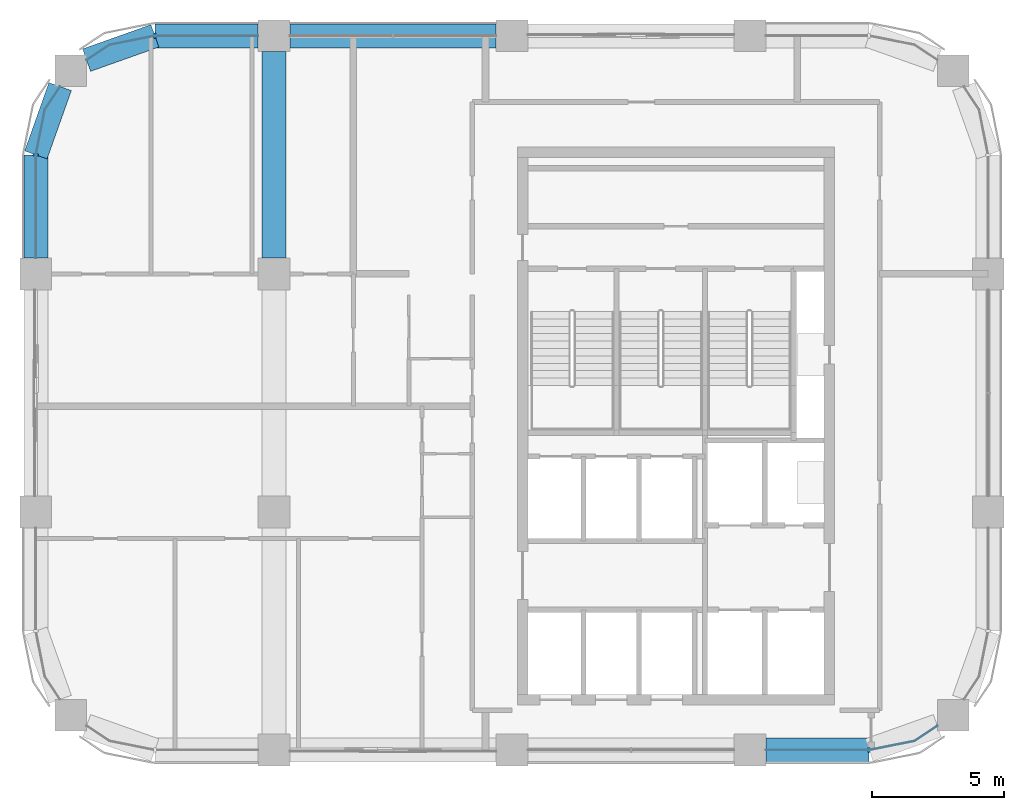
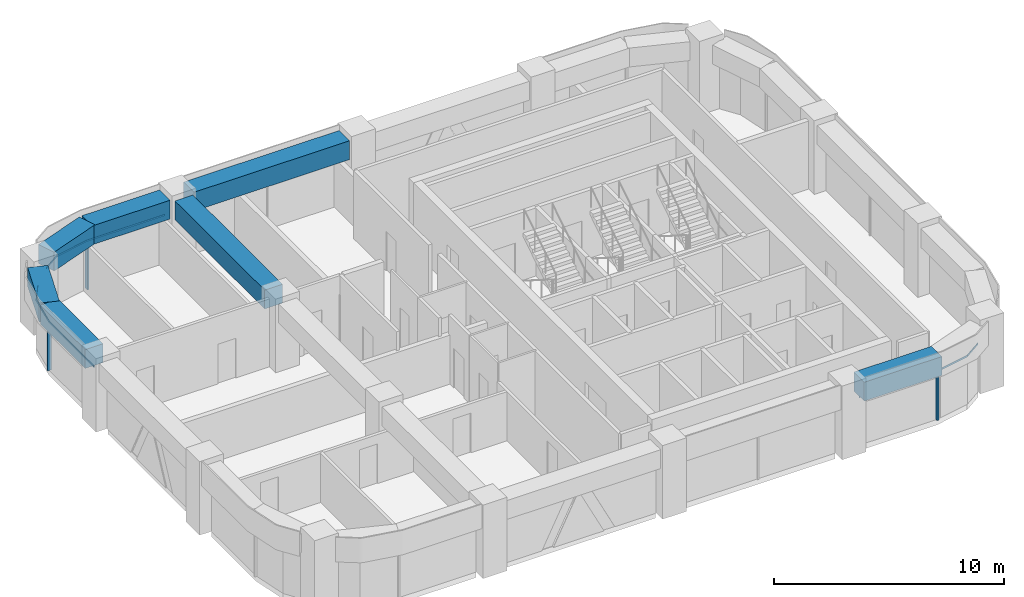
# One storey, part 3 of 10: 7 beams, 6 members, 3 elements without a shape of their own.
"""IFC4 building model written with IfcOpenShell, lengths in metres."""

from ifc_helpers import new_model, si_unit, direction, frame, origin, origin_2d, place, context, subcontext, project, spatial, polyline, rectangle, outline, extrude, material, material_profile, profile_set, type_object, element, aggregate, save


model = new_model("IFC4")

# Units and contexts
model_context = context("Model", 3, precision=1e-05, world=origin(), true_north=direction((0.0, 1.0)))
body_context = subcontext(model_context, "Body", "Model", "MODEL_VIEW")
ifc_project = project(units=[si_unit("LENGTHUNIT", "METRE"), si_unit("AREAUNIT", "SQUARE_METRE"), si_unit("VOLUMEUNIT", "CUBIC_METRE"), si_unit("PLANEANGLEUNIT", "RADIAN"), si_unit("MASSUNIT", "GRAM", prefix="KILO")], contexts=[model_context])

# Site, building, storey
site_placement = place(None, origin())
site = spatial("IfcSite", under=ifc_project, at=site_placement, CompositionType="ELEMENT")
building_placement = place(site_placement, origin())
building = spatial("IfcBuilding", under=site, at=building_placement, Name="Tessera Arch", CompositionType="ELEMENT")
storey_placement = place(building_placement, frame((0.0, 0.0, 254.0)))
storey = spatial("IfcBuildingStorey", under=building, at=storey_placement, Name="L61", CompositionType="ELEMENT", Elevation=254.0)

# Curtain wall, member
ifc_material_1 = material(Name="CW2 curtain wall")
curtain_wall_type = type_object("IfcCurtainWallType", Name="CW2 curtain wall", PredefinedType="NOTDEFINED", material=ifc_material_1)
curtain_wall_1_placement = place(storey_placement, origin())
curtain_wall_1 = element("IfcCurtainWall", 1, at=curtain_wall_1_placement, inside=storey, type_object=curtain_wall_type, Name="CW2 curtain wall N54.18/3 L61", PredefinedType="NOTDEFINED")
ifc_material_2 = material(Name="Anodised aluminium pale metal", Category="aluminium")
ifc_material_profile_1 = material_profile(ifc_material_2, rectangle(XDim=0.199951171875, YDim=0.080078125, at=origin_2d()), Name="AL 80x200")
ifc_profile_set_1 = profile_set([ifc_material_profile_1], Name="Anodised aluminium pale metal")
member_type_1 = type_object("IfcMemberType", Name="CW2 mullion", PredefinedType="MULLION", material=ifc_profile_set_1)
member_1_placement = place(storey_placement, frame((22.5, 54.0, 0.0), z_axis=(0.0, 0.0, 1.0), x_axis=(0.0, -1.0, 0.0)))
member_1 = element("IfcMember", 2, at=member_1_placement, type_object=member_type_1, Name="CW2 mullion N54.18/3 1", PredefinedType="MULLION", context=body_context, shape_type="SweptSolid", body=[
    extrude(rectangle(XDim=0.199951171875, YDim=0.080078125, at=origin_2d()), origin(), (0.0, 0.0, 1.0), 2.5),
])

curtain_wall_2_placement = place(storey_placement, origin())
curtain_wall_2 = element("IfcCurtainWall", 3, at=curtain_wall_2_placement, inside=storey, type_object=curtain_wall_type, Name="CW2 curtain wall W18.27/0 L61", PredefinedType="NOTDEFINED")
member_2_placement = place(storey_placement, frame((18.0, 49.5, 0.0), z_axis=(0.0, 0.0, 1.0), x_axis=(1.0, 0.0, 0.0)))
member_2 = element("IfcMember", 4, at=member_2_placement, type_object=member_type_1, Name="CW2 mullion W18.27/0 1", PredefinedType="MULLION", context=body_context, shape_type="SweptSolid", body=[
    extrude(rectangle(XDim=0.199951171875, YDim=0.080078125, at=origin_2d()), origin(), (0.0, 0.0, 1.0), 2.5),
])

curtain_wall_3_placement = place(storey_placement, origin())
curtain_wall_3 = element("IfcCurtainWall", 5, at=curtain_wall_3_placement, inside=storey, type_object=curtain_wall_type, Name="CW2 curtain wall S27.18/3 L61", PredefinedType="NOTDEFINED")
member_3_placement = place(storey_placement, frame((49.5, 27.0, 0.0), z_axis=(0.0, 0.0, 1.0), x_axis=(0.0, 1.0, 0.0)))
member_3 = element("IfcMember", 6, at=member_3_placement, type_object=member_type_1, Name="CW2 mullion S27.18/3 1", PredefinedType="MULLION", context=body_context, shape_type="SweptSolid", body=[
    extrude(rectangle(XDim=0.199951171875, YDim=0.080078125, at=origin_2d()), origin(), (0.0, 0.0, 1.0), 2.5),
])

# Member
ifc_material_3 = material(Name="Anodised aluminium pale metal", Category="aluminium")
ifc_material_profile_2 = material_profile(ifc_material_3, rectangle(XDim=0.199951171875, YDim=0.10009765625, at=origin_2d()), Name="AL 200x100")
ifc_profile_set_2 = profile_set([ifc_material_profile_2], Name="Anodised aluminium pale metal")
member_type_2 = type_object("IfcMemberType", Name="CW2 transom", PredefinedType="USERDEFINED", material=ifc_profile_set_2)
member_4_placement = place(storey_placement, frame((0.0, 0.0, 2.5)))
member_4 = element("IfcMember", 7, at=member_4_placement, type_object=member_type_2, Name="CW2 transom N54.18/3 1", ObjectType="TRANSOM", PredefinedType="USERDEFINED", context=body_context, shape_type="SweptSolid", body=[
    extrude(outline(polyline([(22.5009765625, 53.989990234375), (26.39990234375, 53.989990234375), (26.39990234375, 54.010009765625), (22.4990234375, 54.010009765625), (20.77392578125, 53.6669921875), (19.912353515625, 53.09130859375), (19.923583984375, 53.07470703125), (20.78173828125, 53.648193359375), (22.5009765625, 53.989990234375)])), origin(), (0.0, 0.0, 1.0), 0.10009765625),
])

aggregate(curtain_wall_1, [member_1, member_4])

member_5_placement = place(storey_placement, frame((0.0, 0.0, 2.5)))
member_5 = element("IfcMember", 8, at=member_5_placement, type_object=member_type_2, Name="CW2 transom W18.27/0 1", ObjectType="TRANSOM", PredefinedType="USERDEFINED", context=body_context, shape_type="SweptSolid", body=[
    extrude(outline(polyline([(18.351806640625, 51.21826171875), (18.92529296875, 52.076416015625), (18.90869140625, 52.087646484375), (18.3330078125, 51.22607421875), (17.989990234375, 49.5009765625), (17.989990234375, 45.60009765625), (18.010009765625, 45.60009765625), (18.010009765625, 49.4990234375), (18.351806640625, 51.21826171875)])), origin(), (0.0, 0.0, 1.0), 0.10009765625),
])

aggregate(curtain_wall_2, [member_2, member_5])

member_6_placement = place(storey_placement, frame((0.0, 0.0, 2.5)))
member_6 = element("IfcMember", 9, at=member_6_placement, type_object=member_type_2, Name="CW2 transom S27.18/3 1", ObjectType="TRANSOM", PredefinedType="USERDEFINED", context=body_context, shape_type="SweptSolid", body=[
    extrude(outline(polyline([(49.4990234375, 27.010009765625), (45.60009765625, 27.010009765625), (45.60009765625, 26.989990234375), (49.5009765625, 26.989990234375), (51.22607421875, 27.3330078125), (52.087646484375, 27.90869140625), (52.076416015625, 27.92529296875), (51.21826171875, 27.351806640625), (49.4990234375, 27.010009765625)])), origin(), (0.0, 0.0, 1.0), 0.10009765625),
])

aggregate(curtain_wall_3, [member_3, member_6])

# Beams
ifc_material_4 = material(Name="Concrete C60/75", Category="concrete")
ifc_material_profile_3 = material_profile(ifc_material_4, rectangle(XDim=0.89990234375, YDim=1.0, at=origin_2d()), Name="RC spandrel beam 900 x 1000 Concrete C60/75")
ifc_profile_set_3 = profile_set([ifc_material_profile_3], Name="Concrete C60/75")
beam_type = type_object("IfcBeamType", Name="RC spandrel beam 900 x 1000 Concrete C60/75", PredefinedType="BEAM", material=ifc_profile_set_3)
beam_1_placement = place(storey_placement, frame((35.39990234375, 54.0, 3.10009765625), z_axis=(-1.0, 0.0, 0.0), x_axis=(0.0, -1.0, 0.0)))
element("IfcBeam", 10, at=beam_1_placement, inside=storey, type_object=beam_type, Name="Spandrel beam L61 N54.18/2", PredefinedType="BEAM", context=body_context, shape_type="SweptSolid", body=[
    extrude(rectangle(XDim=0.89990234375, YDim=1.0, at=origin_2d()), origin(), (0.0, 0.0, 1.0), 7.7998046875),
])
beam_2_placement = place(storey_placement, frame((26.39990234375, 54.0, 3.10009765625), z_axis=(-1.0, 0.0, 0.0), x_axis=(0.0, -1.0, 0.0)))
element("IfcBeam", 11, at=beam_2_placement, inside=storey, type_object=beam_type, Name="Spandrel beam L61 N54.18/3.1", PredefinedType="BEAM", context=body_context, shape_type="SweptSolid", body=[
    extrude(rectangle(XDim=0.89990234375, YDim=1.0, at=origin_2d()), origin(), (0.0, 0.0, 1.0), 3.89990234375),
])
for number, where, z_axis, x_axis, name in (
    (12, (22.5, 54.0, 3.10009765625), (-0.942337127159, -0.334665114373, 0.0), (0.334665114373, -0.942337127159, 0.0), "Spandrel beam L61 N54.18/3.2"),
    (13, (18.9169921875, 52.08203125, 3.10009765625), (-0.334665114373, -0.942337127159, 0.0), (0.942337127159, -0.334665114373, 0.0), "Spandrel beam L61 W18.27/0.1"),
):
    element("IfcBeam", number, at=place(storey_placement, frame(where, z_axis=z_axis, x_axis=x_axis)), inside=storey, type_object=beam_type, Name=name, PredefinedType="BEAM", context=body_context, shape_type="SweptSolid", body=[
        extrude(rectangle(XDim=0.89990234375, YDim=1.0, at=origin_2d()), origin(), (0.0, 0.0, 1.0), 2.739990234375),
    ])
for number, where, z_axis, x_axis, name in (
    (14, (18.0, 49.5, 3.10009765625), (0.0, -1.0, 0.0), (1.0, 0.0, 0.0), "Spandrel beam L61 W18.27/0.2"),
    (15, (45.60009765625, 27.0, 3.10009765625), (1.0, 0.0, 0.0), (0.0, 1.0, 0.0), "Spandrel beam L61 S27.18/3.1"),
):
    element("IfcBeam", number, at=place(storey_placement, frame(where, z_axis=z_axis, x_axis=x_axis)), inside=storey, type_object=beam_type, Name=name, PredefinedType="BEAM", context=body_context, shape_type="SweptSolid", body=[
        extrude(rectangle(XDim=0.89990234375, YDim=1.0, at=origin_2d()), origin(), (0.0, 0.0, 1.0), 3.89990234375),
    ])
beam_3_placement = place(storey_placement, frame((27.0, 45.60009765625, 3.10009765625), z_axis=(0.0, 1.0, 0.0), x_axis=(-1.0, 0.0, 0.0)))
element("IfcBeam", 16, at=beam_3_placement, inside=storey, type_object=beam_type, Name="Interface beam L61 I0C4F-C4G", PredefinedType="BEAM", context=body_context, shape_type="SweptSolid", body=[
    extrude(rectangle(XDim=0.89990234375, YDim=1.0, at=origin_2d()), origin(), (0.0, 0.0, 1.0), 7.7998046875),
])

save(model, "model.ifc")
